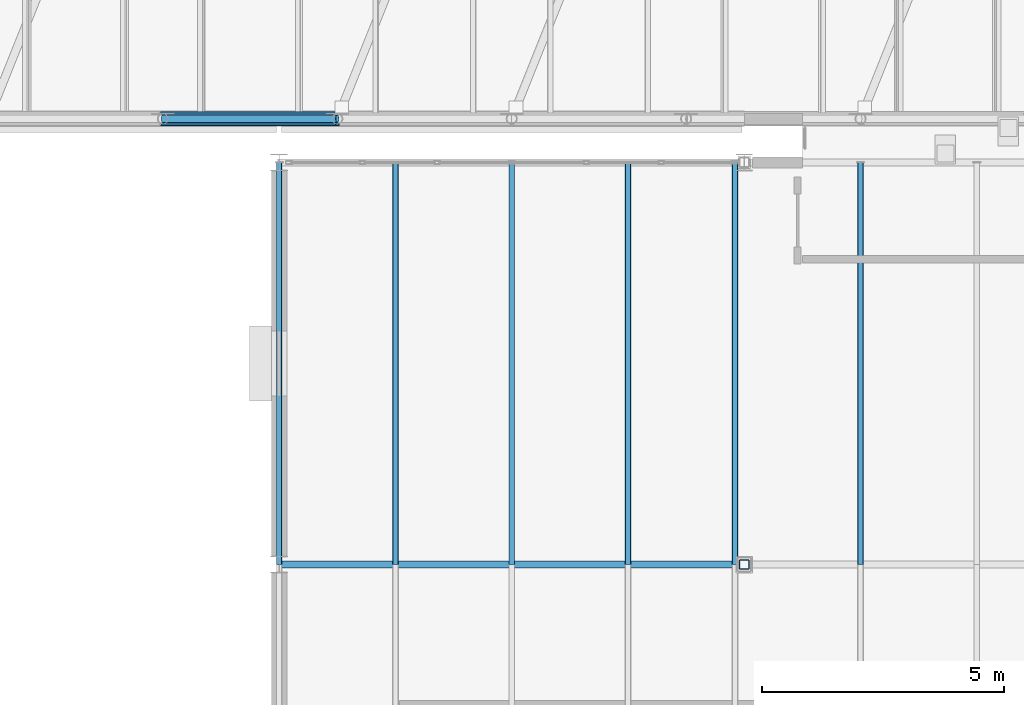
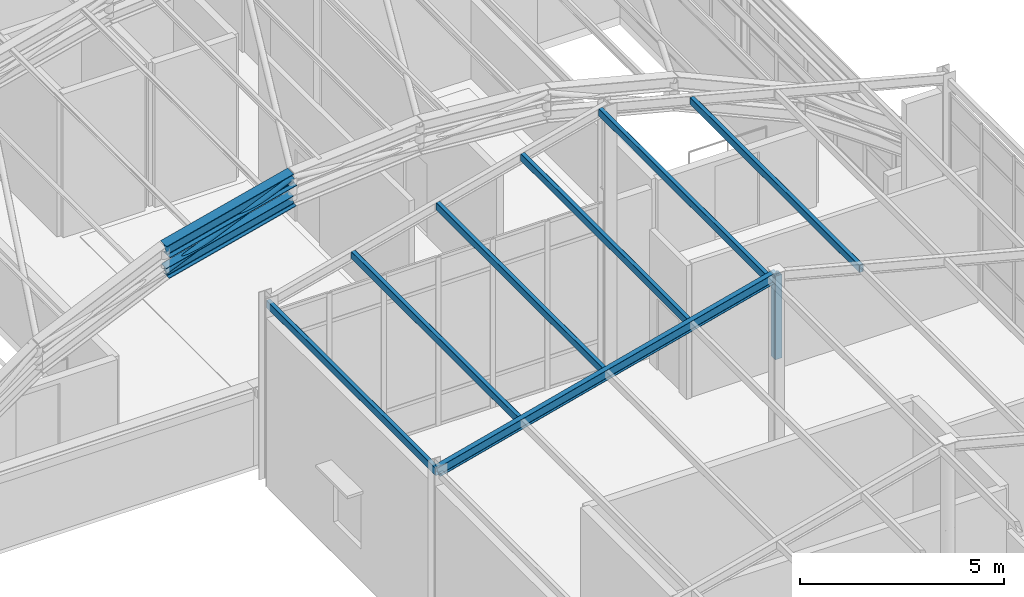
# One storey, part 17 of 121: 9 members, 2 beams.
"""IFC4 building model written with IfcOpenShell, lengths in metres."""

from ifc_helpers import new_model, si_unit, direction, frame, origin, origin_2d, place, context, subcontext, project, spatial, hollow_rectangle, hollow_circle, i_section, extrude, material, material_profile, profile_set, type_object, element, save


model = new_model("IFC4")

# Units and contexts
model_context = context("Model", 3, precision=1e-05, world=origin(), true_north=direction((0.0, 1.0)))
body_context = subcontext(model_context, "Body", "Model", "MODEL_VIEW")
ifc_project = project(units=[si_unit("LENGTHUNIT", "METRE"), si_unit("AREAUNIT", "SQUARE_METRE"), si_unit("VOLUMEUNIT", "CUBIC_METRE"), si_unit("PLANEANGLEUNIT", "RADIAN"), si_unit("MASSUNIT", "GRAM", prefix="KILO")], contexts=[model_context])

# Site, building, storey
site_placement = place(None, origin())
site = spatial("IfcSite", under=ifc_project, at=site_placement, CompositionType="ELEMENT")
building_placement = place(site_placement, origin())
building = spatial("IfcBuilding", under=site, at=building_placement, Name="Canglan Escarpment Cableway Terminal", CompositionType="ELEMENT")
storey_placement = place(building_placement, frame((0.0, 0.0, 24.60009765625)))
storey = spatial("IfcBuildingStorey", under=building, at=storey_placement, Name="L05", CompositionType="ELEMENT", Elevation=24.60009765625)

# Beams
ifc_material = material(Name="Steel Q355B", Category="steel")
ifc_material_profile_1 = material_profile(ifc_material, i_section(OverallWidth=0.300048828125, OverallDepth=0.389892578125, WebThickness=0.010009765625, FlangeThickness=0.01611328125, FilletRadius=0.02197265625, at=origin_2d()), Name="HM 390x300x10x16")
ifc_profile_set_1 = profile_set([ifc_material_profile_1], Name="Steel Q355B")
beam_type_1 = type_object("IfcBeamType", Name="BM-ARCH-TOP-HM390", PredefinedType="BEAM", material=ifc_profile_set_1)
beam_1_placement = place(storey_placement, frame((144.800048828125, 34.0, 7.23828125), z_axis=(0.969179969731, 0.0, 0.246353782743), x_axis=(0.0, 1.0, 0.0)))
element("IfcBeam", 1, at=beam_1_placement, inside=storey, type_object=beam_type_1, Name="Vault ROOF TRUSS arch top chord AR-TC1", PredefinedType="BEAM", context=body_context, shape_type="SweptSolid", body=[
    extrude(i_section(OverallWidth=0.300048828125, OverallDepth=0.389892578125, WebThickness=0.010009765625, FlangeThickness=0.01611328125, FilletRadius=0.02197265625, at=origin_2d()), origin(), (0.0, 0.0, 1.0), 3.71435546875),
])
ifc_material_profile_2 = material_profile(ifc_material, i_section(OverallWidth=0.14990234375, OverallDepth=0.300048828125, WebThickness=0.006591796875, FlangeThickness=0.009033203125, FilletRadius=0.012939453125, at=origin_2d()), Name="HN 300x150x6.5x9")
ifc_profile_set_2 = profile_set([ifc_material_profile_2], Name="Steel Q355B")
beam_type_2 = type_object("IfcBeamType", Name="BM-GABLE-RAFTER-HN300", PredefinedType="BEAM", material=ifc_profile_set_2)
beam_2_placement = place(storey_placement, frame((147.199951171875, 24.800048828125, 5.349853515625), z_axis=(0.967724859719, 0.0, 0.252009118649), x_axis=(0.0, 1.0, 0.0)))
element("IfcBeam", 2, at=beam_2_placement, inside=storey, type_object=beam_type_2, Name="Pedimented pavilion rafter RF-B2", PredefinedType="BEAM", context=body_context, shape_type="SweptSolid", body=[
    extrude(i_section(OverallWidth=0.14990234375, OverallDepth=0.300048828125, WebThickness=0.006591796875, FlangeThickness=0.009033203125, FilletRadius=0.012939453125, at=origin_2d()), origin(), (0.0, 0.0, 1.0), 9.920166015625),
])

# Members
ifc_material_profile_3 = material_profile(ifc_material, i_section(OverallWidth=0.25, OverallDepth=0.340087890625, WebThickness=0.009033203125, FlangeThickness=0.013916015625, FilletRadius=0.02001953125, at=origin_2d()), Name="HM 340x250x9x14")
ifc_profile_set_3 = profile_set([ifc_material_profile_3], Name="Steel Q355B")
member_type_1 = type_object("IfcMemberType", Name="MB-ARCH-BOT-HM340", PredefinedType="CHORD", material=ifc_profile_set_3)
member_1_placement = place(storey_placement, frame((144.800048828125, 34.0, 6.58837890625), z_axis=(0.969179969731, 0.0, 0.246353782743), x_axis=(0.0, 1.0, 0.0)))
element("IfcMember", 3, at=member_1_placement, inside=storey, type_object=member_type_1, Name="Vault ROOF TRUSS arch bottom chord AR-BC1", PredefinedType="CHORD", context=body_context, shape_type="SweptSolid", body=[
    extrude(i_section(OverallWidth=0.25, OverallDepth=0.340087890625, WebThickness=0.009033203125, FlangeThickness=0.013916015625, FilletRadius=0.02001953125, at=origin_2d()), origin(), (0.0, 0.0, 1.0), 3.71435546875),
])
ifc_material_profile_4 = material_profile(ifc_material, hollow_circle(Radius=0.084228515625, WallThickness=0.006103515625, at=origin_2d()), Name="CHS 168.3x6")
ifc_profile_set_4 = profile_set([ifc_material_profile_4], Name="Steel Q355B")
member_type_2 = type_object("IfcMemberType", Name="MB-ARCH-DIAG-CHS168", PredefinedType="BRACE", material=ifc_profile_set_4)
member_2_placement = place(storey_placement, frame((144.800048828125, 34.0, 6.58837890625), z_axis=(0.917089831489, 0.0, 0.398680625286), x_axis=(0.0, 1.0, 0.0)))
element("IfcMember", 4, at=member_2_placement, inside=storey, type_object=member_type_2, Name="Vault ROOF TRUSS web diagonal AR-DG1", PredefinedType="BRACE", context=body_context, shape_type="SweptSolid", body=[
    extrude(hollow_circle(Radius=0.084228515625, WallThickness=0.006103515625, at=origin_2d()), origin(), (0.0, 0.0, 1.0), 3.92529296875),
])
ifc_material_profile_5 = material_profile(ifc_material, hollow_rectangle(XDim=0.1201171875, YDim=0.219970703125, WallThickness=0.006103515625, InnerFilletRadius=0.006103515625, OuterFilletRadius=0.011962890625, at=origin_2d()), Name="RHS 220x120x6")
ifc_profile_set_5 = profile_set([ifc_material_profile_5], Name="Steel Q355B")
member_type_3 = type_object("IfcMemberType", Name="MB-PAV-PUR-RHS220", PredefinedType="PURLIN", material=ifc_profile_set_5)
for number, where, z_axis, x_axis, name in (
    (5, (147.199951171875, 24.800048828125, 5.329833984375), (0.0, 1.0, 0.0), (-1.0, 0.0, 0.0), "Pedimented pavilion purlin PR-03"),
    (6, (149.60009765625, 24.800048828125, 5.954833984375), (0.0, 1.0, 0.0), (-1.0, 0.0, 0.0), "Pedimented pavilion purlin PR-03"),
    (7, (152.0, 24.800048828125, 6.579833984375), (0.0, 1.0, 0.0), (-1.0, 0.0, 0.0), "Pedimented pavilion purlin PR-03"),
    (8, (154.39990234375, 24.800048828125, 7.204833984375), (0.0, 1.0, 0.0), (-1.0, 0.0, 0.0), "Pedimented pavilion purlin PR-03"),
    (9, (156.60791015625, 24.800048828125, 7.77978515625), (0.0, 1.0, 0.0), (-1.0, 0.0, 0.0), "Pedimented pavilion purlin PR-03"),
    (10, (159.199951171875, 24.800048828125, 7.204833984375), (0.0, 1.0, 0.0), (-1.0, 0.0, 0.0), "Pedimented pavilion purlin PR-03"),
):
    element("IfcMember", number, at=place(storey_placement, frame(where, z_axis=z_axis, x_axis=x_axis)), inside=storey, type_object=member_type_3, Name=name, PredefinedType="PURLIN", context=body_context, shape_type="SweptSolid", body=[
        extrude(hollow_rectangle(XDim=0.1201171875, YDim=0.219970703125, WallThickness=0.006103515625, InnerFilletRadius=0.006103515625, OuterFilletRadius=0.011962890625, at=origin_2d()), origin(), (0.0, 0.0, 1.0), 8.300048828125),
    ])
ifc_material_profile_6 = material_profile(ifc_material, hollow_rectangle(XDim=0.199951171875, YDim=0.199951171875, WallThickness=0.008056640625, InnerFilletRadius=0.008056640625, OuterFilletRadius=0.01611328125, at=origin_2d()), Name="SHS 200x200x8")
ifc_profile_set_6 = profile_set([ifc_material_profile_6], Name="Steel Q355B")
member_type_4 = type_object("IfcMemberType", Name="MB-PRATT-WEB-SHS200", PredefinedType="BRACE", material=ifc_profile_set_6)
member_3_placement = place(storey_placement, frame((156.800048828125, 24.800048828125, 5.39990234375), z_axis=(0.0, 0.0, 1.0), x_axis=(1.0, 0.0, 0.0)))
element("IfcMember", 11, at=member_3_placement, inside=storey, type_object=member_type_4, Name="Pedimented pavilion ROOF TRUSS strut PT-WB1", PredefinedType="BRACE", context=body_context, shape_type="SweptSolid", body=[
    extrude(hollow_rectangle(XDim=0.199951171875, YDim=0.199951171875, WallThickness=0.008056640625, InnerFilletRadius=0.008056640625, OuterFilletRadius=0.01611328125, at=origin_2d()), origin(), (0.0, 0.0, 1.0), 2.5),
])

save(model, "model.ifc")
